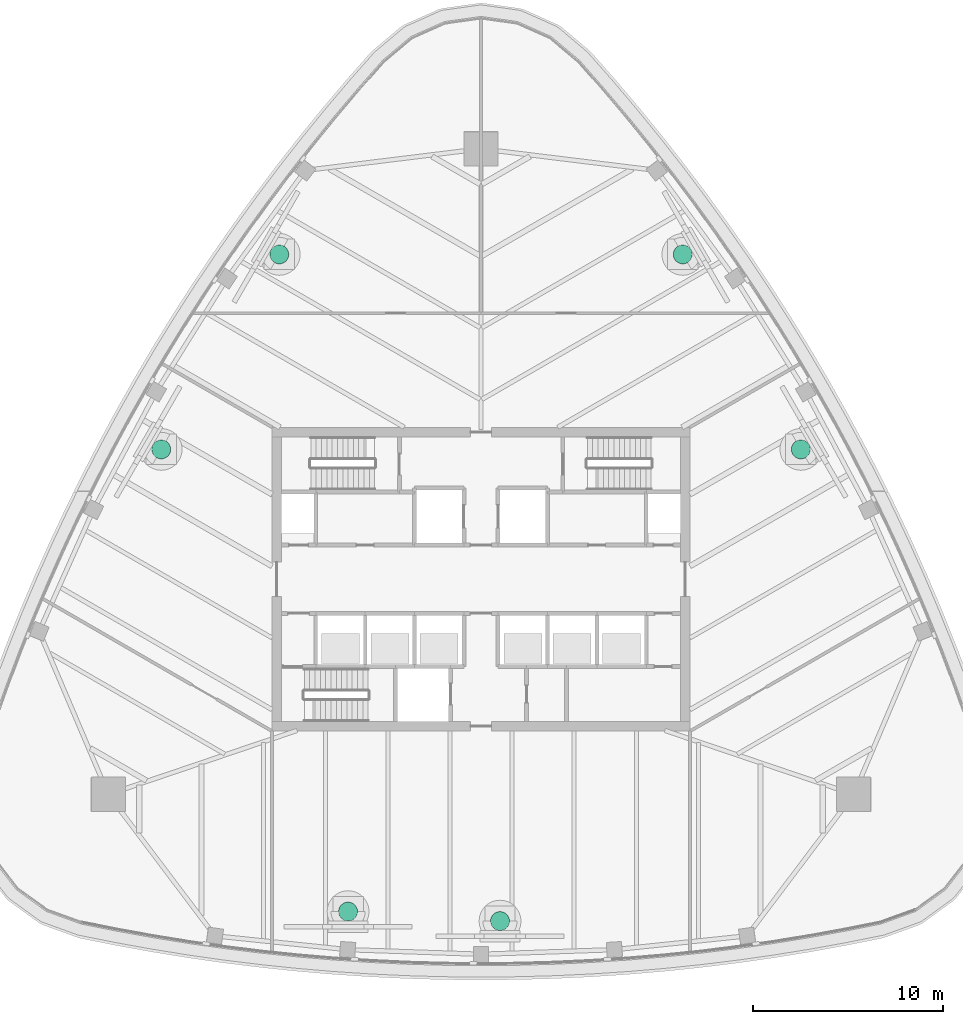
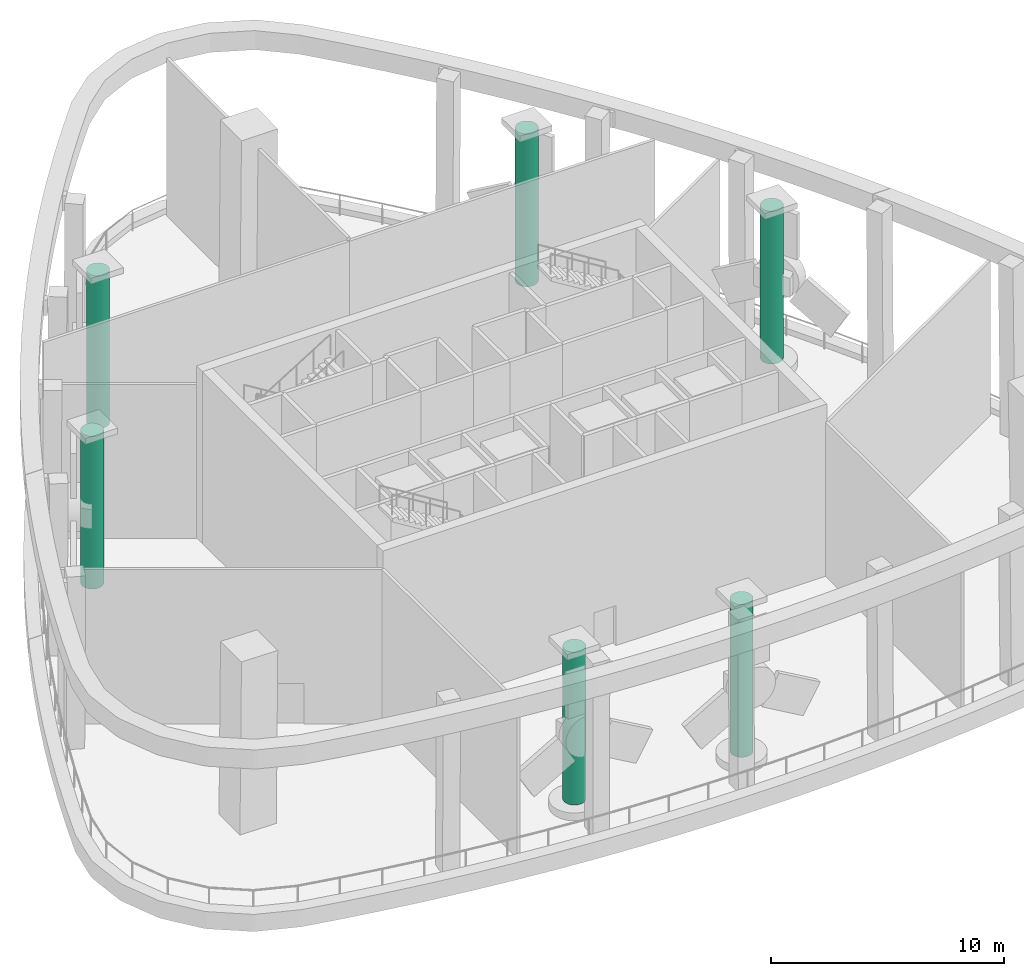
# One storey, part 11 of 12: 6 electric generators.
"""IFC4 building model written with IfcOpenShell, lengths in metres."""

from ifc_helpers import new_model, si_unit, direction, frame, origin, origin_2d, place, context, subcontext, project, spatial, circle, extrude, material, material_profile, profile_set, type_object, element, save


model = new_model("IFC4")

# Units and contexts
model_context = context("Model", 3, precision=1e-05, world=origin(), true_north=direction((0.0, 1.0)))
body_context = subcontext(model_context, "Body", "Model", "MODEL_VIEW")
ifc_project = project(units=[si_unit("LENGTHUNIT", "METRE"), si_unit("AREAUNIT", "SQUARE_METRE"), si_unit("VOLUMEUNIT", "CUBIC_METRE"), si_unit("PLANEANGLEUNIT", "RADIAN"), si_unit("MASSUNIT", "GRAM", prefix="KILO")], contexts=[model_context])

# Site, building, storey
site_placement = place(None, origin())
site = spatial("IfcSite", under=ifc_project, at=site_placement, CompositionType="ELEMENT")
building_placement = place(site_placement, origin())
building = spatial("IfcBuilding", under=site, at=building_placement, Name="Sierra Prisma Convention Tower", CompositionType="ELEMENT")
storey_placement = place(building_placement, frame((0.0, 0.0, 330.39990234375)))
storey = spatial("IfcBuildingStorey", under=building, at=storey_placement, Name="L75", CompositionType="ELEMENT", Elevation=330.39990234375)

# Electric generators
ifc_material = material(Name="Steel S355J2 EN 10025-2 and glass fibre", Category="steel")
ifc_material_profile = material_profile(ifc_material, circle(Radius=0.5, at=origin_2d()), Name="TURBINE 1000")
ifc_profile_set = profile_set([ifc_material_profile], Name="Steel S355J2 EN 10025-2 and glass fibre")
electric_generator_type = type_object("IfcElectricGeneratorType", Name="Wind turbine", PredefinedType="USERDEFINED", material=ifc_profile_set)
for number, where, z_axis, x_axis, name in (
    (1, (1.0, -18.0, 0.400146484375), (0.0, 0.0, 1.0), (1.0, 0.0, 0.0), "Wind turbine 1"),
    (2, (16.837890625, 6.8349609375, 0.400146484375), (0.0, 0.0, 1.0), (1.0, 0.0, 0.0), "Wind turbine 2"),
    (3, (-16.837890625, 6.8349609375, 0.400146484375), (0.0, 0.0, 1.0), (1.0, 0.0, 0.0), "Wind turbine 3"),
    (4, (-7.0, -17.5, 0.400146484375), (0.0, 0.0, 1.0), (1.0, 0.0, 0.0), "Wind turbine 4"),
    (5, (10.6220703125, 17.10205078125, 0.400146484375), (0.0, 0.0, 1.0), (1.0, 0.0, 0.0), "Wind turbine 5"),
    (6, (-10.6220703125, 17.10205078125, 0.400146484375), (0.0, 0.0, 1.0), (1.0, 0.0, 0.0), "Wind turbine 6"),
):
    element("IfcElectricGenerator", number, at=place(storey_placement, frame(where, z_axis=z_axis, x_axis=x_axis)), inside=storey, type_object=electric_generator_type, Name=name, ObjectType="TURBINE", PredefinedType="USERDEFINED", context=body_context, shape_type="SweptSolid", body=[
        extrude(circle(Radius=0.5, at=origin_2d()), origin(), (0.0, 0.0, 1.0), 8.0),
    ])

save(model, "model.ifc")
